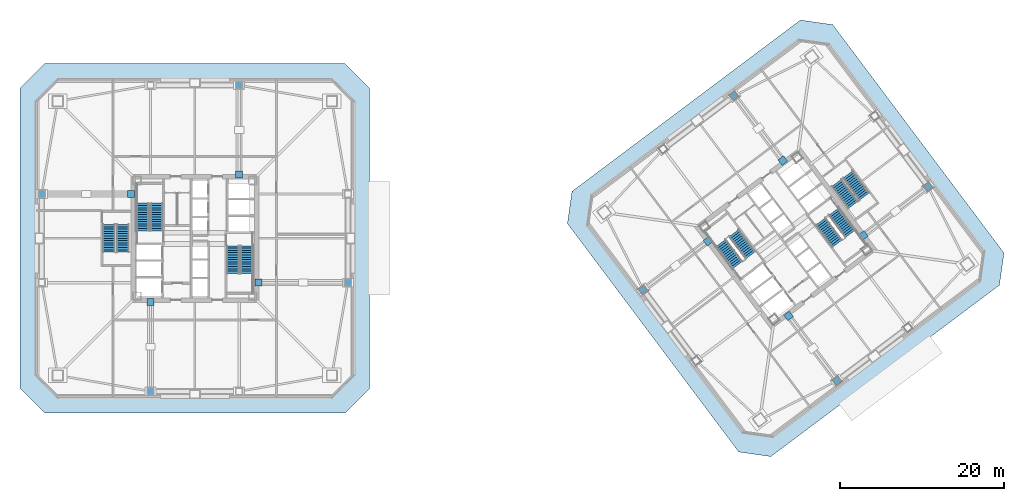
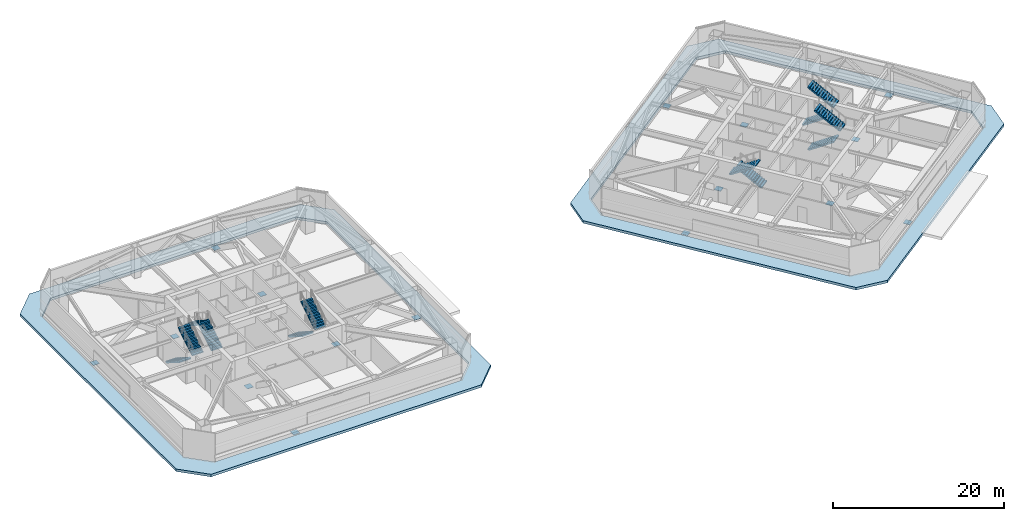
# One storey, part 9 of 15: 16 discrete accessories, 12 stair flights, 2 roofs, 6 elements without a shape of their own.
"""IFC4 building model written with IfcOpenShell, lengths in metres."""

from ifc_helpers import new_model, si_unit, direction, frame, origin, origin_2d, place, context, subcontext, project, spatial, polyline, rectangle, outline, extrude, material, layer, layer_set, type_object, element, aggregate, save


model = new_model("IFC4")

# Units and contexts
model_context = context("Model", 3, precision=1e-05, world=origin(), true_north=direction((0.0, 1.0)))
body_context = subcontext(model_context, "Body", "Model", "MODEL_VIEW")
ifc_project = project(units=[si_unit("LENGTHUNIT", "METRE"), si_unit("AREAUNIT", "SQUARE_METRE"), si_unit("VOLUMEUNIT", "CUBIC_METRE"), si_unit("PLANEANGLEUNIT", "RADIAN"), si_unit("MASSUNIT", "GRAM", prefix="KILO")], contexts=[model_context])

# Site, building, storey
site_placement = place(None, origin())
site = spatial("IfcSite", under=ifc_project, at=site_placement, CompositionType="ELEMENT")
building_placement = place(site_placement, origin())
building = spatial("IfcBuilding", under=site, at=building_placement, Name="Tashvorn Skyway Center", CompositionType="ELEMENT")
storey_placement = place(building_placement, frame((0.0, 0.0, 109.800048828125)))
storey = spatial("IfcBuildingStorey", under=building, at=storey_placement, Name="L29", CompositionType="ELEMENT", Elevation=109.800048828125)

# Stair, stair flights
ifc_material_1 = material(Name="Concrete C40/50", Category="concrete")
stair_type = type_object("IfcStairType", Name="STAIR-CORE-1500", PredefinedType="HALF_TURN_STAIR", material=ifc_material_1)
stair_1_placement = place(storey_placement, origin())
stair_1 = element("IfcStair", 1, at=stair_1_placement, inside=storey, type_object=stair_type, Name="L29 Tower 1 Exit Stair 1", PredefinedType="HALF_TURN_STAIR")
stair_flight_type = type_object("IfcStairFlightType", Name="SFLIGHT-1500", PredefinedType="STRAIGHT", material=ifc_material_1)
stair_flight_1_placement = place(storey_placement, frame((37.35009765625, 32.919921875, 0.0), z_axis=(0.0, 0.0, 1.0), x_axis=(0.0, 1.0, 0.0)))
stair_flight_1 = element("IfcStairFlight", 2, at=stair_flight_1_placement, type_object=stair_flight_type, Name="ST-T1-1 flight 1", NumberOfRisers=13, NumberOfTreads=12, PredefinedType="STRAIGHT", RiserHeight=0.176923077, TreadLength=0.28, context=body_context, shape_type="SweptSolid", body=[
    extrude(outline(polyline([(0.0, 0.0), (0.0, 0.177001953125), (0.280029296875, 0.177001953125), (0.280029296875, 0.353759765625), (0.56005859375, 0.353759765625), (0.56005859375, 0.53076171875), (0.840087890625, 0.53076171875), (0.840087890625, 0.707763671875), (1.1201171875, 0.707763671875), (1.1201171875, 0.884521484375), (1.39990234375, 0.884521484375), (1.39990234375, 1.0615234375), (1.679931640625, 1.0615234375), (1.679931640625, 1.238525390625), (1.9599609375, 1.238525390625), (1.9599609375, 1.415283203125), (2.239990234375, 1.415283203125), (2.239990234375, 1.59228515625), (2.52001953125, 1.59228515625), (2.52001953125, 1.769287109375), (2.800048828125, 1.769287109375), (2.800048828125, 1.946044921875), (3.080078125, 1.946044921875), (3.080078125, 2.123046875), (3.360107421875, 2.123046875), (3.360107421875, 2.300048828125), (3.360107421875, 1.94580078125), (0.280517578125, 0.0), (0.0, 0.0)])), frame((0.0, 0.75, 0.0), z_axis=(0.0, -1.0, 0.0), x_axis=(1.0, 0.0, 0.0)), (0.0, 0.0, 1.0), 1.5),
])
stair_flight_2_placement = place(storey_placement, frame((35.64990234375, 36.280029296875, 2.300048828125), z_axis=(0.0, 0.0, 1.0), x_axis=(0.0, -1.0, 0.0)))
stair_flight_2 = element("IfcStairFlight", 3, at=stair_flight_2_placement, type_object=stair_flight_type, Name="ST-T1-1 flight 2", NumberOfRisers=13, NumberOfTreads=12, PredefinedType="STRAIGHT", RiserHeight=0.176923077, TreadLength=0.28, context=body_context, shape_type="SweptSolid", body=[
    extrude(outline(polyline([(0.0, 0.0), (0.0, 0.177001953125), (0.280029296875, 0.177001953125), (0.280029296875, 0.353759765625), (0.56005859375, 0.353759765625), (0.56005859375, 0.53076171875), (0.840087890625, 0.53076171875), (0.840087890625, 0.707763671875), (1.1201171875, 0.707763671875), (1.1201171875, 0.884521484375), (1.39990234375, 0.884521484375), (1.39990234375, 1.0615234375), (1.679931640625, 1.0615234375), (1.679931640625, 1.238525390625), (1.9599609375, 1.238525390625), (1.9599609375, 1.415283203125), (2.239990234375, 1.415283203125), (2.239990234375, 1.59228515625), (2.52001953125, 1.59228515625), (2.52001953125, 1.769287109375), (2.800048828125, 1.769287109375), (2.800048828125, 1.946044921875), (3.080078125, 1.946044921875), (3.080078125, 2.123046875), (3.360107421875, 2.123046875), (3.360107421875, 2.300048828125), (3.360107421875, 1.94580078125), (0.280517578125, 0.0), (0.0, 0.0)])), frame((0.0, 0.75, 0.0), z_axis=(0.0, -1.0, 0.0), x_axis=(1.0, 0.0, 0.0)), (0.0, 0.0, 1.0), 1.5),
])
aggregate(stair_1, [stair_flight_1, stair_flight_2])

stair_2_placement = place(storey_placement, origin())
stair_2 = element("IfcStair", 4, at=stair_2_placement, inside=storey, type_object=stair_type, Name="L29 Tower 1 Exit Stair 2", PredefinedType="HALF_TURN_STAIR")
stair_flight_3_placement = place(storey_placement, frame((46.64990234375, 31.080078125, 0.0), z_axis=(0.0, 0.0, 1.0), x_axis=(0.0, -1.0, 0.0)))
stair_flight_3 = element("IfcStairFlight", 5, at=stair_flight_3_placement, type_object=stair_flight_type, Name="ST-T1-2 flight 1", NumberOfRisers=13, NumberOfTreads=12, PredefinedType="STRAIGHT", RiserHeight=0.176923077, TreadLength=0.28, context=body_context, shape_type="SweptSolid", body=[
    extrude(outline(polyline([(0.0, 0.0), (0.0, 0.177001953125), (0.280029296875, 0.177001953125), (0.280029296875, 0.353759765625), (0.56005859375, 0.353759765625), (0.56005859375, 0.53076171875), (0.840087890625, 0.53076171875), (0.840087890625, 0.707763671875), (1.1201171875, 0.707763671875), (1.1201171875, 0.884521484375), (1.39990234375, 0.884521484375), (1.39990234375, 1.0615234375), (1.679931640625, 1.0615234375), (1.679931640625, 1.238525390625), (1.9599609375, 1.238525390625), (1.9599609375, 1.415283203125), (2.239990234375, 1.415283203125), (2.239990234375, 1.59228515625), (2.52001953125, 1.59228515625), (2.52001953125, 1.769287109375), (2.800048828125, 1.769287109375), (2.800048828125, 1.946044921875), (3.080078125, 1.946044921875), (3.080078125, 2.123046875), (3.360107421875, 2.123046875), (3.360107421875, 2.300048828125), (3.360107421875, 1.94580078125), (0.280517578125, 0.0), (0.0, 0.0)])), frame((0.0, 0.75, 0.0), z_axis=(0.0, -1.0, 0.0), x_axis=(1.0, 0.0, 0.0)), (0.0, 0.0, 1.0), 1.5),
])
stair_flight_4_placement = place(storey_placement, frame((48.35009765625, 27.719970703125, 2.300048828125), z_axis=(0.0, 0.0, 1.0), x_axis=(0.0, 1.0, 0.0)))
stair_flight_4 = element("IfcStairFlight", 6, at=stair_flight_4_placement, type_object=stair_flight_type, Name="ST-T1-2 flight 2", NumberOfRisers=13, NumberOfTreads=12, PredefinedType="STRAIGHT", RiserHeight=0.176923077, TreadLength=0.28, context=body_context, shape_type="SweptSolid", body=[
    extrude(outline(polyline([(0.0, 0.0), (0.0, 0.177001953125), (0.280029296875, 0.177001953125), (0.280029296875, 0.353759765625), (0.56005859375, 0.353759765625), (0.56005859375, 0.53076171875), (0.840087890625, 0.53076171875), (0.840087890625, 0.707763671875), (1.1201171875, 0.707763671875), (1.1201171875, 0.884521484375), (1.39990234375, 0.884521484375), (1.39990234375, 1.0615234375), (1.679931640625, 1.0615234375), (1.679931640625, 1.238525390625), (1.9599609375, 1.238525390625), (1.9599609375, 1.415283203125), (2.239990234375, 1.415283203125), (2.239990234375, 1.59228515625), (2.52001953125, 1.59228515625), (2.52001953125, 1.769287109375), (2.800048828125, 1.769287109375), (2.800048828125, 1.946044921875), (3.080078125, 1.946044921875), (3.080078125, 2.123046875), (3.360107421875, 2.123046875), (3.360107421875, 2.300048828125), (3.360107421875, 1.94580078125), (0.280517578125, 0.0), (0.0, 0.0)])), frame((0.0, 0.75, 0.0), z_axis=(0.0, -1.0, 0.0), x_axis=(1.0, 0.0, 0.0)), (0.0, 0.0, 1.0), 1.5),
])
aggregate(stair_2, [stair_flight_3, stair_flight_4])

stair_3_placement = place(storey_placement, origin())
stair_3 = element("IfcStair", 7, at=stair_3_placement, inside=storey, type_object=stair_type, Name="L29 Tower 2 Exit Stair 1", PredefinedType="HALF_TURN_STAIR")
stair_flight_5_placement = place(storey_placement, frame((109.72802734375, 29.946044921875, 0.0), z_axis=(0.0, 0.0, 1.0), x_axis=(-0.600000004945, 0.799999996291, 0.0)))
stair_flight_5 = element("IfcStairFlight", 8, at=stair_flight_5_placement, type_object=stair_flight_type, Name="ST-T2-1 flight 1", NumberOfRisers=13, NumberOfTreads=12, PredefinedType="STRAIGHT", RiserHeight=0.176923077, TreadLength=0.28, context=body_context, shape_type="SweptSolid", body=[
    extrude(outline(polyline([(0.0, 0.0), (0.0, 0.177001953125), (0.280029296875, 0.177001953125), (0.280029296875, 0.353759765625), (0.56005859375, 0.353759765625), (0.56005859375, 0.53076171875), (0.840087890625, 0.53076171875), (0.840087890625, 0.707763671875), (1.1201171875, 0.707763671875), (1.1201171875, 0.884521484375), (1.39990234375, 0.884521484375), (1.39990234375, 1.0615234375), (1.679931640625, 1.0615234375), (1.679931640625, 1.238525390625), (1.9599609375, 1.238525390625), (1.9599609375, 1.415283203125), (2.239990234375, 1.415283203125), (2.239990234375, 1.59228515625), (2.52001953125, 1.59228515625), (2.52001953125, 1.769287109375), (2.800048828125, 1.769287109375), (2.800048828125, 1.946044921875), (3.080078125, 1.946044921875), (3.080078125, 2.123046875), (3.360107421875, 2.123046875), (3.360107421875, 2.300048828125), (3.360107421875, 1.94580078125), (0.280517578125, 0.0), (0.0, 0.0)])), frame((0.0, 0.75, 0.0), z_axis=(0.0, -1.0, 0.0), x_axis=(1.0, 0.0, 0.0)), (0.0, 0.0, 1.0), 1.5),
])
stair_flight_6_placement = place(storey_placement, frame((106.1279296875, 31.446044921875, 2.300048828125), z_axis=(0.0, 0.0, 1.0), x_axis=(0.600000004945, -0.799999996291, 0.0)))
stair_flight_6 = element("IfcStairFlight", 9, at=stair_flight_6_placement, type_object=stair_flight_type, Name="ST-T2-1 flight 2", NumberOfRisers=13, NumberOfTreads=12, PredefinedType="STRAIGHT", RiserHeight=0.176923077, TreadLength=0.28, context=body_context, shape_type="SweptSolid", body=[
    extrude(outline(polyline([(0.0, 0.0), (0.0, 0.177001953125), (0.280029296875, 0.177001953125), (0.280029296875, 0.353759765625), (0.56005859375, 0.353759765625), (0.56005859375, 0.53076171875), (0.840087890625, 0.53076171875), (0.840087890625, 0.707763671875), (1.1201171875, 0.707763671875), (1.1201171875, 0.884521484375), (1.39990234375, 0.884521484375), (1.39990234375, 1.0615234375), (1.679931640625, 1.0615234375), (1.679931640625, 1.238525390625), (1.9599609375, 1.238525390625), (1.9599609375, 1.415283203125), (2.239990234375, 1.415283203125), (2.239990234375, 1.59228515625), (2.52001953125, 1.59228515625), (2.52001953125, 1.769287109375), (2.800048828125, 1.769287109375), (2.800048828125, 1.946044921875), (3.080078125, 1.946044921875), (3.080078125, 2.123046875), (3.360107421875, 2.123046875), (3.360107421875, 2.300048828125), (3.360107421875, 1.94580078125), (0.280517578125, 0.0), (0.0, 0.0)])), frame((0.0, 0.75, 0.0), z_axis=(0.0, -1.0, 0.0), x_axis=(1.0, 0.0, 0.0)), (0.0, 0.0, 1.0), 1.5),
])
aggregate(stair_3, [stair_flight_5, stair_flight_6])

stair_4_placement = place(storey_placement, origin())
stair_4 = element("IfcStair", 10, at=stair_4_placement, inside=storey, type_object=stair_type, Name="L29 Tower 2 Exit Stair 2", PredefinedType="HALF_TURN_STAIR")
stair_flight_7_placement = place(storey_placement, frame((118.27197265625, 34.053955078125, 0.0), z_axis=(0.0, 0.0, 1.0), x_axis=(0.600000004945, -0.799999996291, 0.0)))
stair_flight_7 = element("IfcStairFlight", 11, at=stair_flight_7_placement, type_object=stair_flight_type, Name="ST-T2-2 flight 1", NumberOfRisers=13, NumberOfTreads=12, PredefinedType="STRAIGHT", RiserHeight=0.176923077, TreadLength=0.28, context=body_context, shape_type="SweptSolid", body=[
    extrude(outline(polyline([(0.0, 0.0), (0.0, 0.177001953125), (0.280029296875, 0.177001953125), (0.280029296875, 0.353759765625), (0.56005859375, 0.353759765625), (0.56005859375, 0.53076171875), (0.840087890625, 0.53076171875), (0.840087890625, 0.707763671875), (1.1201171875, 0.707763671875), (1.1201171875, 0.884521484375), (1.39990234375, 0.884521484375), (1.39990234375, 1.0615234375), (1.679931640625, 1.0615234375), (1.679931640625, 1.238525390625), (1.9599609375, 1.238525390625), (1.9599609375, 1.415283203125), (2.239990234375, 1.415283203125), (2.239990234375, 1.59228515625), (2.52001953125, 1.59228515625), (2.52001953125, 1.769287109375), (2.800048828125, 1.769287109375), (2.800048828125, 1.946044921875), (3.080078125, 1.946044921875), (3.080078125, 2.123046875), (3.360107421875, 2.123046875), (3.360107421875, 2.300048828125), (3.360107421875, 1.94580078125), (0.280517578125, 0.0), (0.0, 0.0)])), frame((0.0, 0.75, 0.0), z_axis=(0.0, -1.0, 0.0), x_axis=(1.0, 0.0, 0.0)), (0.0, 0.0, 1.0), 1.5),
])
stair_flight_8_placement = place(storey_placement, frame((121.8720703125, 32.553955078125, 2.300048828125), z_axis=(0.0, 0.0, 1.0), x_axis=(-0.600000004945, 0.799999996291, 0.0)))
stair_flight_8 = element("IfcStairFlight", 12, at=stair_flight_8_placement, type_object=stair_flight_type, Name="ST-T2-2 flight 2", NumberOfRisers=13, NumberOfTreads=12, PredefinedType="STRAIGHT", RiserHeight=0.176923077, TreadLength=0.28, context=body_context, shape_type="SweptSolid", body=[
    extrude(outline(polyline([(0.0, 0.0), (0.0, 0.177001953125), (0.280029296875, 0.177001953125), (0.280029296875, 0.353759765625), (0.56005859375, 0.353759765625), (0.56005859375, 0.53076171875), (0.840087890625, 0.53076171875), (0.840087890625, 0.707763671875), (1.1201171875, 0.707763671875), (1.1201171875, 0.884521484375), (1.39990234375, 0.884521484375), (1.39990234375, 1.0615234375), (1.679931640625, 1.0615234375), (1.679931640625, 1.238525390625), (1.9599609375, 1.238525390625), (1.9599609375, 1.415283203125), (2.239990234375, 1.415283203125), (2.239990234375, 1.59228515625), (2.52001953125, 1.59228515625), (2.52001953125, 1.769287109375), (2.800048828125, 1.769287109375), (2.800048828125, 1.946044921875), (3.080078125, 1.946044921875), (3.080078125, 2.123046875), (3.360107421875, 2.123046875), (3.360107421875, 2.300048828125), (3.360107421875, 1.94580078125), (0.280517578125, 0.0), (0.0, 0.0)])), frame((0.0, 0.75, 0.0), z_axis=(0.0, -1.0, 0.0), x_axis=(1.0, 0.0, 0.0)), (0.0, 0.0, 1.0), 1.5),
])
aggregate(stair_4, [stair_flight_7, stair_flight_8])

stair_5_placement = place(storey_placement, origin())
stair_5 = element("IfcStair", 13, at=stair_5_placement, inside=storey, type_object=stair_type, Name="L29 Tower 1 Exit Stair 3", PredefinedType="HALF_TURN_STAIR")
stair_flight_9_placement = place(storey_placement, frame((31.550048828125, 33.679931640625, 0.0), z_axis=(0.0, 0.0, 1.0), x_axis=(0.0, -1.0, 0.0)))
stair_flight_9 = element("IfcStairFlight", 14, at=stair_flight_9_placement, type_object=stair_flight_type, Name="ST-T1-3 flight 1", NumberOfRisers=13, NumberOfTreads=12, PredefinedType="STRAIGHT", RiserHeight=0.176923077, TreadLength=0.28, context=body_context, shape_type="SweptSolid", body=[
    extrude(outline(polyline([(0.0, 0.0), (0.0, 0.177001953125), (0.280029296875, 0.177001953125), (0.280029296875, 0.353759765625), (0.56005859375, 0.353759765625), (0.56005859375, 0.53076171875), (0.840087890625, 0.53076171875), (0.840087890625, 0.707763671875), (1.1201171875, 0.707763671875), (1.1201171875, 0.884521484375), (1.39990234375, 0.884521484375), (1.39990234375, 1.0615234375), (1.679931640625, 1.0615234375), (1.679931640625, 1.238525390625), (1.9599609375, 1.238525390625), (1.9599609375, 1.415283203125), (2.239990234375, 1.415283203125), (2.239990234375, 1.59228515625), (2.52001953125, 1.59228515625), (2.52001953125, 1.769287109375), (2.800048828125, 1.769287109375), (2.800048828125, 1.946044921875), (3.080078125, 1.946044921875), (3.080078125, 2.123046875), (3.360107421875, 2.123046875), (3.360107421875, 2.300048828125), (3.360107421875, 1.94580078125), (0.280517578125, 0.0), (0.0, 0.0)])), frame((0.0, 0.75, 0.0), z_axis=(0.0, -1.0, 0.0), x_axis=(1.0, 0.0, 0.0)), (0.0, 0.0, 1.0), 1.5),
])
stair_flight_10_placement = place(storey_placement, frame((33.25, 30.320068359375, 2.300048828125), z_axis=(0.0, 0.0, 1.0), x_axis=(0.0, 1.0, 0.0)))
stair_flight_10 = element("IfcStairFlight", 15, at=stair_flight_10_placement, type_object=stair_flight_type, Name="ST-T1-3 flight 2", NumberOfRisers=13, NumberOfTreads=12, PredefinedType="STRAIGHT", RiserHeight=0.176923077, TreadLength=0.28, context=body_context, shape_type="SweptSolid", body=[
    extrude(outline(polyline([(0.0, 0.0), (0.0, 0.177001953125), (0.280029296875, 0.177001953125), (0.280029296875, 0.353759765625), (0.56005859375, 0.353759765625), (0.56005859375, 0.53076171875), (0.840087890625, 0.53076171875), (0.840087890625, 0.707763671875), (1.1201171875, 0.707763671875), (1.1201171875, 0.884521484375), (1.39990234375, 0.884521484375), (1.39990234375, 1.0615234375), (1.679931640625, 1.0615234375), (1.679931640625, 1.238525390625), (1.9599609375, 1.238525390625), (1.9599609375, 1.415283203125), (2.239990234375, 1.415283203125), (2.239990234375, 1.59228515625), (2.52001953125, 1.59228515625), (2.52001953125, 1.769287109375), (2.800048828125, 1.769287109375), (2.800048828125, 1.946044921875), (3.080078125, 1.946044921875), (3.080078125, 2.123046875), (3.360107421875, 2.123046875), (3.360107421875, 2.300048828125), (3.360107421875, 1.94580078125), (0.280517578125, 0.0), (0.0, 0.0)])), frame((0.0, 0.75, 0.0), z_axis=(0.0, -1.0, 0.0), x_axis=(1.0, 0.0, 0.0)), (0.0, 0.0, 1.0), 1.5),
])
aggregate(stair_5, [stair_flight_9, stair_flight_10])

stair_6_placement = place(storey_placement, origin())
stair_6 = element("IfcStair", 16, at=stair_6_placement, inside=storey, type_object=stair_type, Name="L29 Tower 2 Exit Stair 3", PredefinedType="HALF_TURN_STAIR")
stair_flight_11_placement = place(storey_placement, frame((120.216064453125, 38.761962890625, 0.0), z_axis=(0.0, 0.0, 1.0), x_axis=(0.600000004945, -0.799999996291, 0.0)))
stair_flight_11 = element("IfcStairFlight", 17, at=stair_flight_11_placement, type_object=stair_flight_type, Name="ST-T2-3 flight 1", NumberOfRisers=13, NumberOfTreads=12, PredefinedType="STRAIGHT", RiserHeight=0.176923077, TreadLength=0.28, context=body_context, shape_type="SweptSolid", body=[
    extrude(outline(polyline([(0.0, 0.0), (0.0, 0.177001953125), (0.280029296875, 0.177001953125), (0.280029296875, 0.353759765625), (0.56005859375, 0.353759765625), (0.56005859375, 0.53076171875), (0.840087890625, 0.53076171875), (0.840087890625, 0.707763671875), (1.1201171875, 0.707763671875), (1.1201171875, 0.884521484375), (1.39990234375, 0.884521484375), (1.39990234375, 1.0615234375), (1.679931640625, 1.0615234375), (1.679931640625, 1.238525390625), (1.9599609375, 1.238525390625), (1.9599609375, 1.415283203125), (2.239990234375, 1.415283203125), (2.239990234375, 1.59228515625), (2.52001953125, 1.59228515625), (2.52001953125, 1.769287109375), (2.800048828125, 1.769287109375), (2.800048828125, 1.946044921875), (3.080078125, 1.946044921875), (3.080078125, 2.123046875), (3.360107421875, 2.123046875), (3.360107421875, 2.300048828125), (3.360107421875, 1.94580078125), (0.280517578125, 0.0), (0.0, 0.0)])), frame((0.0, 0.75, 0.0), z_axis=(0.0, -1.0, 0.0), x_axis=(1.0, 0.0, 0.0)), (0.0, 0.0, 1.0), 1.5),
])
stair_flight_12_placement = place(storey_placement, frame((123.592041015625, 37.093994140625, 2.300048828125), z_axis=(0.0, 0.0, 1.0), x_axis=(-0.600000004945, 0.799999996291, 0.0)))
stair_flight_12 = element("IfcStairFlight", 18, at=stair_flight_12_placement, type_object=stair_flight_type, Name="ST-T2-3 flight 2", NumberOfRisers=13, NumberOfTreads=12, PredefinedType="STRAIGHT", RiserHeight=0.176923077, TreadLength=0.28, context=body_context, shape_type="SweptSolid", body=[
    extrude(outline(polyline([(0.0, 0.0), (0.0, 0.177001953125), (0.280029296875, 0.177001953125), (0.280029296875, 0.353759765625), (0.56005859375, 0.353759765625), (0.56005859375, 0.53076171875), (0.840087890625, 0.53076171875), (0.840087890625, 0.707763671875), (1.1201171875, 0.707763671875), (1.1201171875, 0.884521484375), (1.39990234375, 0.884521484375), (1.39990234375, 1.0615234375), (1.679931640625, 1.0615234375), (1.679931640625, 1.238525390625), (1.9599609375, 1.238525390625), (1.9599609375, 1.415283203125), (2.239990234375, 1.415283203125), (2.239990234375, 1.59228515625), (2.52001953125, 1.59228515625), (2.52001953125, 1.769287109375), (2.800048828125, 1.769287109375), (2.800048828125, 1.946044921875), (3.080078125, 1.946044921875), (3.080078125, 2.123046875), (3.360107421875, 2.123046875), (3.360107421875, 2.300048828125), (3.360107421875, 1.94580078125), (0.280517578125, 0.0), (0.0, 0.0)])), frame((0.0, 0.75, 0.0), z_axis=(0.0, -1.0, 0.0), x_axis=(1.0, 0.0, 0.0)), (0.0, 0.0, 1.0), 1.5),
])
aggregate(stair_6, [stair_flight_11, stair_flight_12])

# Roofs
ifc_material_2 = material(Name="Architectural glazed Mojave terracotta roof and cornice system", Category="masonry")
ifc_layer = layer(ifc_material_2, 0.360107421875)
ifc_layer_set = layer_set([ifc_layer], Name="Architectural glazed Mojave terracotta roof and cornice system")
roof_type = type_object("IfcRoofType", Name="ROOF-PM-CORNICE", PredefinedType="GABLE_ROOF", material=ifc_layer_set)
roof_1_placement = place(storey_placement, origin())
element("IfcRoof", 19, at=roof_1_placement, inside=storey, type_object=roof_type, Name="Tower 1 L29 Postmodern Setback Terracotta Cornice", PredefinedType="GABLE_ROOF", context=body_context, shape_type="SweptSolid", body=[
    extrude(outline(polyline([(23.699951171875, 10.699951171875), (60.300048828125, 10.699951171875), (63.300048828125, 13.699951171875), (63.300048828125, 50.300048828125), (60.300048828125, 53.300048828125), (23.699951171875, 53.300048828125), (20.699951171875, 50.300048828125), (20.699951171875, 13.699951171875), (23.699951171875, 10.699951171875)]), holes=[polyline([(25.39990234375, 12.699951171875), (58.60009765625, 12.699951171875), (61.300048828125, 15.39990234375), (61.300048828125, 48.60009765625), (58.60009765625, 51.300048828125), (25.39990234375, 51.300048828125), (22.699951171875, 48.60009765625), (22.699951171875, 15.39990234375), (25.39990234375, 12.699951171875)])]), origin(), (0.0, 0.0, 1.0), 0.35986328125),
])
roof_2_placement = place(storey_placement, origin())
element("IfcRoof", 20, at=roof_2_placement, inside=storey, type_object=roof_type, Name="Tower 2 L29 Postmodern Setback Terracotta Cornice", PredefinedType="GABLE_ROOF", context=body_context, shape_type="SweptSolid", body=[
    extrude(outline(polyline([(112.199951171875, 5.39990234375), (140.0400390625, 26.280029296875), (140.60009765625, 30.199951171875), (119.719970703125, 58.0400390625), (115.800048828125, 58.60009765625), (87.9599609375, 37.719970703125), (87.39990234375, 33.800048828125), (108.280029296875, 5.9599609375), (112.199951171875, 5.39990234375)]), holes=[polyline([(112.419921875, 7.93994140625), (137.5400390625, 26.780029296875), (138.06005859375, 30.419921875), (119.219970703125, 55.5400390625), (115.580078125, 56.06005859375), (90.4599609375, 37.219970703125), (89.93994140625, 33.580078125), (108.780029296875, 8.4599609375), (112.419921875, 7.93994140625)])]), origin(), (0.0, 0.0, 1.0), 0.35986328125),
])

# Discrete accessories
ifc_material_3 = material(Name="Steel ASTM A572 Grade 50", Category="steel")
discrete_accessory_type = type_object("IfcDiscreteAccessoryType", Name="ACC-EMBED-45", PredefinedType="USERDEFINED", material=ifc_material_3)
for number, where, z_axis, x_axis, name in (
    (21, (47.39990234375, 39.780029296875, 0.2275390625), (0.0, 0.0, 1.0), (1.0, 0.0, 0.0), "Tower 1 L29 Core Wall Cast-In Steel Embed Plate N1"),
    (22, (47.39990234375, 50.64990234375, 0.2275390625), (0.0, 0.0, 1.0), (1.0, 0.0, 0.0), "Tower 1 L29 Outrigger Perimeter Connection Plate N1"),
    (23, (36.60009765625, 24.219970703125, 0.2275390625), (0.0, 0.0, 1.0), (1.0, 0.0, 0.0), "Tower 1 L29 Core Wall Cast-In Steel Embed Plate S1"),
    (24, (36.60009765625, 13.35009765625, 0.2275390625), (0.0, 0.0, 1.0), (1.0, 0.0, 0.0), "Tower 1 L29 Outrigger Perimeter Connection Plate S1"),
    (25, (49.780029296875, 26.60009765625, 0.2275390625), (0.0, 0.0, 1.0), (1.0, 0.0, 0.0), "Tower 1 L29 Core Wall Cast-In Steel Embed Plate E1"),
    (26, (60.64990234375, 26.60009765625, 0.2275390625), (0.0, 0.0, 1.0), (1.0, 0.0, 0.0), "Tower 1 L29 Outrigger Perimeter Connection Plate E1"),
    (27, (34.219970703125, 37.39990234375, 0.2275390625), (0.0, 0.0, 1.0), (1.0, 0.0, 0.0), "Tower 1 L29 Core Wall Cast-In Steel Embed Plate W1"),
    (28, (23.35009765625, 37.39990234375, 0.2275390625), (0.0, 0.0, 1.0), (1.0, 0.0, 0.0), "Tower 1 L29 Outrigger Perimeter Connection Plate W1"),
    (29, (113.652099609375, 41.464111328125, 0.2275390625), (0.0, 0.0, 1.0), (0.799999996291, 0.600000004945, 0.0), "Tower 2 L29 Core Wall Cast-In Steel Embed Plate N1"),
    (30, (107.72998046875, 49.360107421875, 0.2275390625), (0.0, 0.0, 1.0), (0.799999996291, 0.600000004945, 0.0), "Tower 2 L29 Outrigger Perimeter Connection Plate N1"),
    (31, (114.347900390625, 22.535888671875, 0.2275390625), (0.0, 0.0, 1.0), (0.799999996291, 0.600000004945, 0.0), "Tower 2 L29 Core Wall Cast-In Steel Embed Plate S1"),
    (32, (120.27001953125, 14.639892578125, 0.2275390625), (0.0, 0.0, 1.0), (0.799999996291, 0.600000004945, 0.0), "Tower 2 L29 Outrigger Perimeter Connection Plate S1"),
    (33, (123.464111328125, 32.347900390625, 0.2275390625), (0.0, 0.0, 1.0), (0.799999996291, 0.600000004945, 0.0), "Tower 2 L29 Core Wall Cast-In Steel Embed Plate E1"),
    (34, (131.360107421875, 38.27001953125, 0.2275390625), (0.0, 0.0, 1.0), (0.799999996291, 0.600000004945, 0.0), "Tower 2 L29 Outrigger Perimeter Connection Plate E1"),
    (35, (104.535888671875, 31.652099609375, 0.2275390625), (0.0, 0.0, 1.0), (0.799999996291, 0.600000004945, 0.0), "Tower 2 L29 Core Wall Cast-In Steel Embed Plate W1"),
    (36, (96.639892578125, 25.72998046875, 0.2275390625), (0.0, 0.0, 1.0), (0.799999996291, 0.600000004945, 0.0), "Tower 2 L29 Outrigger Perimeter Connection Plate W1"),
):
    element("IfcDiscreteAccessory", number, at=place(storey_placement, frame(where, z_axis=z_axis, x_axis=x_axis)), inside=storey, type_object=discrete_accessory_type, Name=name, ObjectType="EMBED PLATE", PredefinedType="USERDEFINED", context=body_context, shape_type="SweptSolid", body=[
        extrude(rectangle(XDim=0.85009765625, YDim=0.85009765625, at=origin_2d()), origin(), (0.0, 0.0, 1.0), 0.044921875),
    ])

save(model, "model.ifc")
